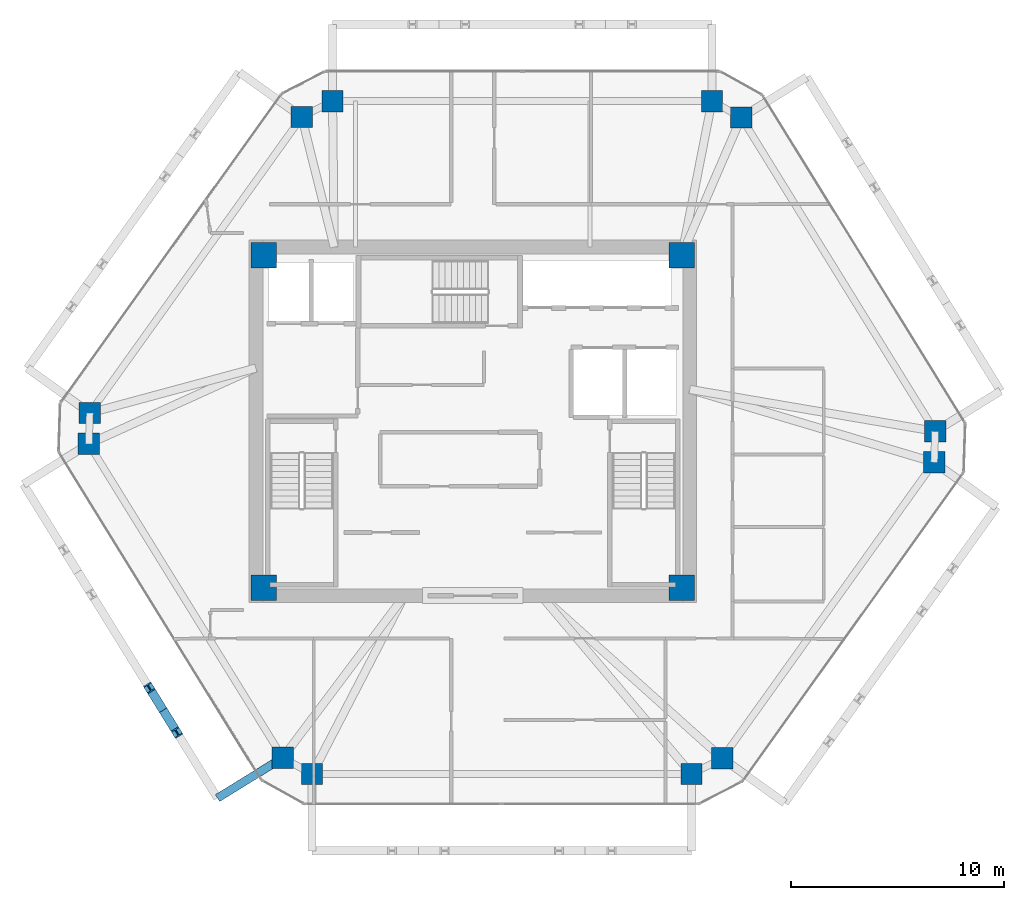
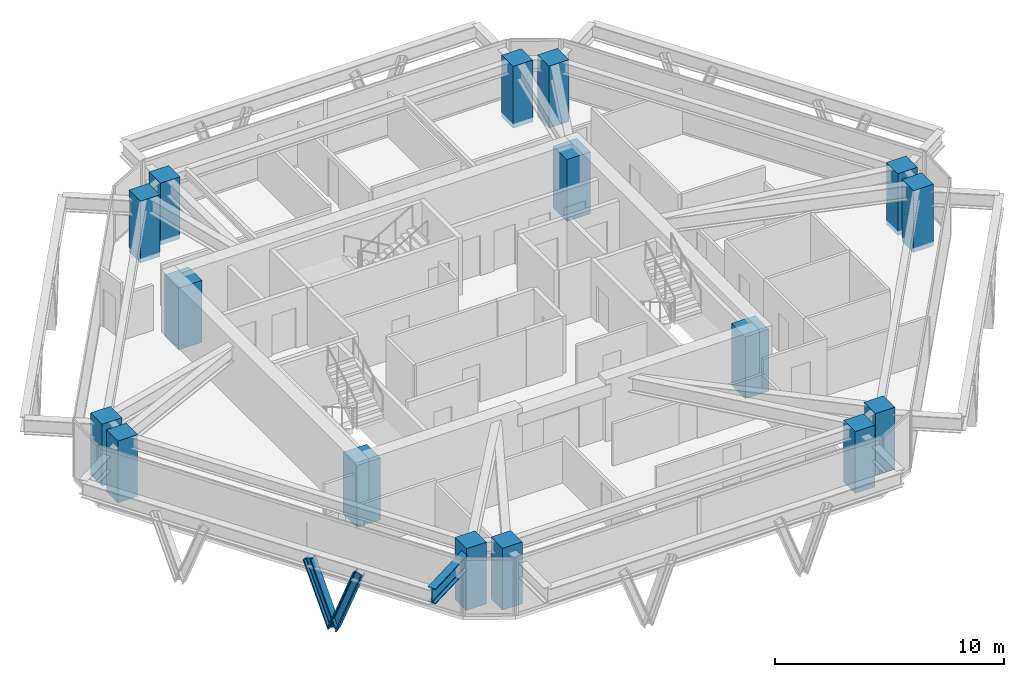
# One storey, part 1 of 11: 16 columns, 2 members, 1 beam.
"""IFC4 building model written with IfcOpenShell, lengths in metres."""

from ifc_helpers import new_model, si_unit, direction, frame, origin, origin_2d, place, context, subcontext, project, spatial, rectangle, i_section, extrude, source, transform, mapped, material, material_profile, profile_set, type_object, type_shapes, element, save


model = new_model("IFC4")

# Units and contexts
model_context = context("Model", 3, precision=1e-05, world=origin(), true_north=direction((0.0, 1.0)))
body_context = subcontext(model_context, "Body", "Model", "MODEL_VIEW")
ifc_project = project(units=[si_unit("LENGTHUNIT", "METRE"), si_unit("AREAUNIT", "SQUARE_METRE"), si_unit("VOLUMEUNIT", "CUBIC_METRE"), si_unit("PLANEANGLEUNIT", "RADIAN"), si_unit("MASSUNIT", "GRAM", prefix="KILO")], contexts=[model_context])

# Site, building, storey
site_placement = place(None, origin())
site = spatial("IfcSite", under=ifc_project, at=site_placement, CompositionType="ELEMENT")
building_placement = place(site_placement, origin())
building = spatial("IfcBuilding", under=site, at=building_placement, Name="Durnholm Broadcast Tower", CompositionType="ELEMENT")
storey_placement = place(building_placement, frame((0.0, 0.0, 196.89990234375)))
storey = spatial("IfcBuildingStorey", under=building, at=storey_placement, Name="L54", CompositionType="ELEMENT", Elevation=196.89990234375)

# Columns
ifc_material_1 = material(Name="Concrete C70/85", Category="concrete")
ifc_material_profile_1 = material_profile(ifc_material_1, rectangle(XDim=1.199951171875, YDim=1.199951171875, at=origin_2d()), Name="RC1200X1200")
ifc_profile_set_1 = profile_set([ifc_material_profile_1], Name="Concrete C70/85")
column_type_1 = type_object("IfcColumnType", Name="COL-CC-1200", PredefinedType="COLUMN", material=ifc_profile_set_1)
shared_shape_1 = source(origin(), body_context, "Body", "SweptSolid", [
    extrude(rectangle(XDim=1.199951171875, YDim=1.199951171875, at=origin_2d()), origin(), (0.0, 0.0, 1.0), 3.300048828125),
])
type_shapes(column_type_1, [shared_shape_1])
for number, where, z_axis, x_axis, name in (
    (1, (-9.800048828125, -7.800048828125, -0.239990234375), (0.0, 0.0, 1.0), (1.0, 0.0, 0.0), "L54 core corner column 1"),
    (2, (9.800048828125, -7.800048828125, -0.239990234375), (0.0, 0.0, 1.0), (1.0, 0.0, 0.0), "L54 core corner column 2"),
    (3, (9.800048828125, 7.800048828125, -0.239990234375), (0.0, 0.0, 1.0), (1.0, 0.0, 0.0), "L54 core corner column 3"),
    (4, (-9.800048828125, 7.800048828125, -0.239990234375), (0.0, 0.0, 1.0), (1.0, 0.0, 0.0), "L54 core corner column 4"),
):
    element("IfcColumn", number, at=place(storey_placement, frame(where, z_axis=z_axis, x_axis=x_axis)), inside=storey, type_object=column_type_1, Name=name, PredefinedType="COLUMN", context=body_context, shape_type="MappedRepresentation", body=[
        mapped(shared_shape_1, transform((0.0, 0.0, 0.0), x_axis=(1.0, 0.0, 0.0), y_axis=(0.0, 1.0, 0.0), z_axis=(0.0, 0.0, 1.0), scale=1.0)),
    ])
ifc_material_profile_2 = material_profile(ifc_material_1, rectangle(XDim=1.0, YDim=1.0, at=origin_2d()), Name="RC1000X1000")
ifc_profile_set_2 = profile_set([ifc_material_profile_2], Name="Concrete C70/85")
column_type_2 = type_object("IfcColumnType", Name="COL-CC-1000", PredefinedType="COLUMN", material=ifc_profile_set_2)
shared_shape_2 = source(origin(), body_context, "Body", "SweptSolid", [
    extrude(rectangle(XDim=1.0, YDim=1.0, at=origin_2d()), origin(), (0.0, 0.0, 1.0), 3.300048828125),
])
type_shapes(column_type_2, [shared_shape_2])
for number, where, z_axis, x_axis, name in (
    (5, (-8.91259765625, -15.7763671875, -0.239990234375), (0.0, 0.0, 1.0), (1.0, 0.0, 0.0), "L54 perimeter hexagonal tube column 01"),
    (6, (-18.009033203125, -1.056640625, -0.239990234375), (0.0, 0.0, 1.0), (1.0, 0.0, 0.0), "L54 perimeter hexagonal tube column 02"),
    (7, (-17.9599609375, 0.3955078125, -0.239990234375), (0.0, 0.0, 1.0), (1.0, 0.0, 0.0), "L54 perimeter hexagonal tube column 03"),
    (8, (-8.021728515625, 14.2763671875, -0.239990234375), (0.0, 0.0, 1.0), (1.0, 0.0, 0.0), "L54 perimeter hexagonal tube column 04"),
    (9, (-6.57861328125, 15.01806640625, -0.239990234375), (0.0, 0.0, 1.0), (1.0, 0.0, 0.0), "L54 perimeter hexagonal tube column 05"),
    (10, (11.217529296875, 15.01806640625, -0.239990234375), (0.0, 0.0, 1.0), (1.0, 0.0, 0.0), "L54 perimeter hexagonal tube column 06"),
    (11, (12.5908203125, 14.252197265625, -0.239990234375), (0.0, 0.0, 1.0), (1.0, 0.0, 0.0), "L54 perimeter hexagonal tube column 07"),
    (12, (21.68701171875, -0.46728515625, -0.239990234375), (0.0, 0.0, 1.0), (1.0, 0.0, 0.0), "L54 perimeter hexagonal tube column 08"),
    (13, (21.637939453125, -1.919677734375, -0.239990234375), (0.0, 0.0, 1.0), (1.0, 0.0, 0.0), "L54 perimeter hexagonal tube column 09"),
    (14, (11.69970703125, -15.80029296875, -0.239990234375), (0.0, 0.0, 1.0), (1.0, 0.0, 0.0), "L54 perimeter hexagonal tube column 10"),
    (15, (10.256591796875, -16.5419921875, -0.239990234375), (0.0, 0.0, 1.0), (1.0, 0.0, 0.0), "L54 perimeter hexagonal tube column 11"),
    (16, (-7.53955078125, -16.5419921875, -0.239990234375), (0.0, 0.0, 1.0), (1.0, 0.0, 0.0), "L54 perimeter hexagonal tube column 12"),
):
    element("IfcColumn", number, at=place(storey_placement, frame(where, z_axis=z_axis, x_axis=x_axis)), inside=storey, type_object=column_type_2, Name=name, PredefinedType="COLUMN", context=body_context, shape_type="MappedRepresentation", body=[
        mapped(shared_shape_2, transform((0.0, 0.0, 0.0), x_axis=(1.0, 0.0, 0.0), y_axis=(0.0, 1.0, 0.0), z_axis=(0.0, 0.0, 1.0), scale=1.0)),
    ])

# Beam
ifc_material_2 = material(Name="Steel ASTM A992 Grade 50", Category="steel")
ifc_material_profile_3 = material_profile(ifc_material_2, i_section(OverallWidth=0.385009765625, OverallDepth=0.802978515625, WebThickness=0.023681640625, FlangeThickness=0.0419921875, FilletRadius=0.032958984375, at=origin_2d()), Name="W30X261")
ifc_profile_set_3 = profile_set([ifc_material_profile_3], Name="Steel ASTM A992 Grade 50")
beam_type = type_object("IfcBeamType", Name="BM-EXO-TIE", PredefinedType="USERDEFINED", material=ifc_profile_set_3)
shared_shape_3 = source(origin(), body_context, "Body", "SweptSolid", [
    extrude(i_section(OverallWidth=0.385009765625, OverallDepth=0.802978515625, WebThickness=0.023681640625, FlangeThickness=0.0419921875, FilletRadius=0.032958984375, at=origin_2d()), origin(), (0.0, 0.0, 1.0), 3.4560546875),
])
type_shapes(beam_type, [shared_shape_3])
beam_placement = place(storey_placement, frame((-9.03515625, -15.85205078125, 2.30859375), z_axis=(-0.850693939061, -0.525661318764, 0.0), x_axis=(0.525661318764, -0.850693939061, 0.0)))
element("IfcBeam", 17, at=beam_placement, inside=storey, type_object=beam_type, Name="L54 exoskeleton stand-off tie bracket F6.2", ObjectType="GIRDER", PredefinedType="USERDEFINED", context=body_context, shape_type="MappedRepresentation", body=[
    mapped(shared_shape_3, transform((0.0, 0.0, 0.0), x_axis=(1.0, 0.0, 0.0), y_axis=(0.0, 1.0, 0.0), z_axis=(0.0, 0.0, 1.0), scale=1.0)),
])

# Members
ifc_material_3 = material(Name="Steel ASTM A913 Grade 65", Category="steel")
ifc_material_profile_4 = material_profile(ifc_material_3, i_section(OverallWidth=0.412109375, OverallDepth=0.434814453125, WebThickness=0.035888671875, FlangeThickness=0.057373046875, FilletRadius=0.030517578125, at=origin_2d()), Name="W14X311")
ifc_profile_set_4 = profile_set([ifc_material_profile_4], Name="Steel ASTM A913 Grade 65")
member_type = type_object("IfcMemberType", Name="STL-DG-W14X311", PredefinedType="BRACE", material=ifc_profile_set_4)
shared_shape_4 = source(origin(), body_context, "Body", "SweptSolid", [
    extrude(i_section(OverallWidth=0.412109375, OverallDepth=0.434814453125, WebThickness=0.035888671875, FlangeThickness=0.057373046875, FilletRadius=0.030517578125, at=origin_2d()), origin(), (0.0, 0.0, 1.0), 3.523193359375),
])
type_shapes(member_type, [shared_shape_4])
for number, where, z_axis, x_axis, name in (
    (18, (-14.522216796875, -13.54736328125, -0.991455078125), (-0.184052089489, 0.297906601172, 0.936683770188), (-0.850732935913, -0.525598203719, 0.0), "L54 stand-off diagrid brace F6.D2.1"),
    (19, (-14.522216796875, -13.54736328125, -0.991455078125), (0.18411903749, -0.297902800967, 0.936671821509), (0.850644447398, 0.525741404219, 0.0), "L54 stand-off diagrid brace F6.D2.2"),
):
    element("IfcMember", number, at=place(storey_placement, frame(where, z_axis=z_axis, x_axis=x_axis)), inside=storey, type_object=member_type, Name=name, PredefinedType="BRACE", context=body_context, shape_type="MappedRepresentation", body=[
        mapped(shared_shape_4, transform((0.0, 0.0, 0.0), x_axis=(1.0, 0.0, 0.0), y_axis=(0.0, 1.0, 0.0), z_axis=(0.0, 0.0, 1.0), scale=1.0)),
    ])

save(model, "model.ifc")
